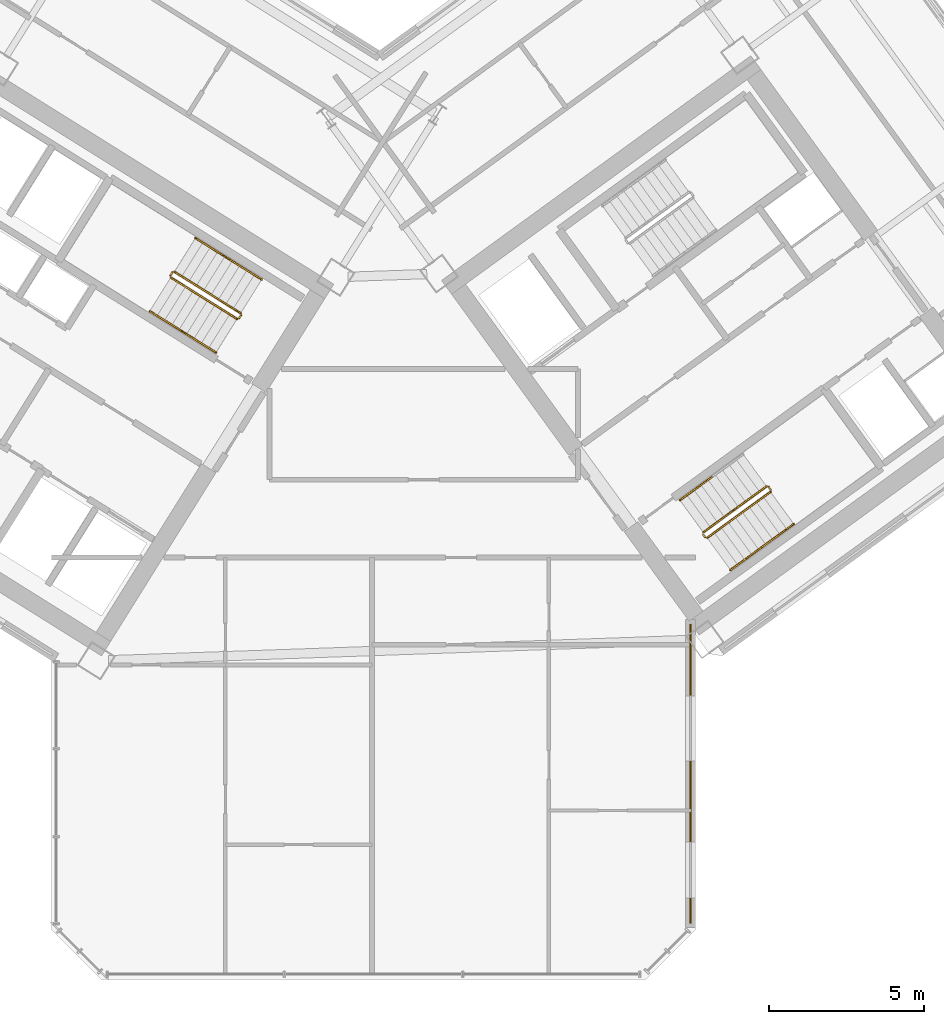
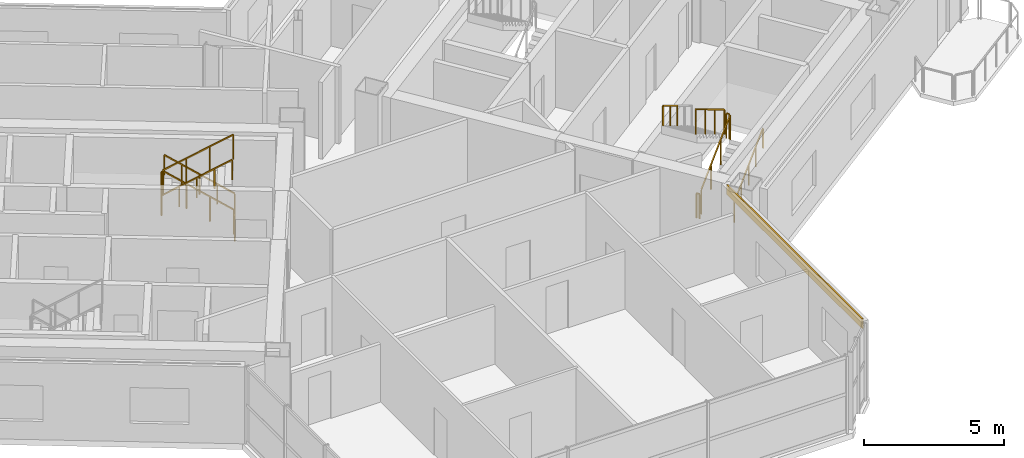
# One storey, part 19 of 21: 15 railings, 1 covering.
"""IFC4 building model written with IfcOpenShell, lengths in metres."""

from ifc_helpers import new_model, si_unit, direction, frame, origin, origin_2d, place, context, subcontext, project, spatial, rectangle, extrude, source, transform, mapped, material, layer, layer_set, type_object, element, save


model = new_model("IFC4")

# Units and contexts
model_context = context("Model", 3, precision=1e-05, world=origin(), true_north=direction((0.0, 1.0)))
body_context = subcontext(model_context, "Body", "Model", "MODEL_VIEW")
ifc_project = project(units=[si_unit("LENGTHUNIT", "METRE"), si_unit("AREAUNIT", "SQUARE_METRE"), si_unit("VOLUMEUNIT", "CUBIC_METRE"), si_unit("PLANEANGLEUNIT", "RADIAN"), si_unit("MASSUNIT", "GRAM", prefix="KILO")], contexts=[model_context])

# Site, building, storey
site_placement = place(None, origin())
site = spatial("IfcSite", under=ifc_project, at=site_placement, CompositionType="ELEMENT")
building_placement = place(site_placement, origin())
building = spatial("IfcBuilding", under=site, at=building_placement, Name="Tlacorven Tower", CompositionType="ELEMENT")
storey_placement = place(building_placement, frame((0.0, 0.0, 119.699951171875)))
storey = spatial("IfcBuildingStorey", under=building, at=storey_placement, Name="L30", CompositionType="ELEMENT", Elevation=119.699951171875)

# Covering
ifc_material_1 = material(Name="Precast concrete C45/55", Category="concrete")
ifc_layer = layer(ifc_material_1, 0.06005859375)
ifc_layer_set = layer_set([ifc_layer], Name="Precast concrete C45/55")
covering_type = type_object("IfcCoveringType", Name="CV-CLD-TERC", PredefinedType="CLADDING", material=ifc_layer_set)
shared_shape_1 = source(origin(), body_context, "Body", "SweptSolid", [
    extrude(rectangle(XDim=9.647705078125, YDim=0.06005859375, at=origin_2d()), origin(), (0.0, 0.0, 1.0), 0.419921875),
])
covering_placement = place(storey_placement, frame((52.239990234375, 8.440185546875, 2.93017578125), z_axis=(0.0, 0.0, 1.0), x_axis=(0.0, -1.0, 0.0)))
element("IfcCovering", 1, at=covering_placement, inside=storey, type_object=covering_type, Name="L30 Masonry-Frame Spandrel Cladding 7", PredefinedType="CLADDING", context=body_context, shape_type="MappedRepresentation", body=[
    mapped(shared_shape_1, transform((0.0, 0.0, 0.0), scale=1.0)),
])

# Railings
ifc_material_2 = material(Name="Aluminium and painted steel balustrade", Category="steel")
railing_type_1 = type_object("IfcRailingType", Name="RL-GRD-1100", PredefinedType="GUARDRAIL", material=ifc_material_2)
shared_shape_2 = source(origin(), body_context, "Body", "SweptSolid", [
    extrude(rectangle(XDim=0.048095703125, YDim=0.048095703125, at=origin_2d()), frame((0.0, 0.0, 1.076171875), z_axis=(-0.713319727316, 0.445773895627, 0.540796265334), x_axis=(-0.529955395941, -0.84802551749, 0.0)), (0.0, 0.0, 1.0), 2.995849609375),
    extrude(rectangle(XDim=0.0419921875, YDim=0.0419921875, at=origin_2d()), origin(), (0.0, 0.0, 1.0), 1.052001953125),
    extrude(rectangle(XDim=0.0419921875, YDim=0.0419921875, at=origin_2d()), frame((-0.71240234375, 0.445068359375, 0.5400390625)), (0.0, 0.0, 1.0), 1.052001953125),
    extrude(rectangle(XDim=0.0419921875, YDim=0.0419921875, at=origin_2d()), frame((-1.424560546875, 0.890380859375, 1.080078125)), (0.0, 0.0, 1.0), 1.052001953125),
    extrude(rectangle(XDim=0.0419921875, YDim=0.0419921875, at=origin_2d()), frame((-2.136962890625, 1.33544921875, 1.6201171875)), (0.0, 0.0, 1.0), 1.052001953125),
])
railing_1_placement = place(storey_placement, frame((37.712158203125, 23.3095703125, 0.179931640625)))
element("IfcRailing", 2, at=railing_1_placement, inside=storey, type_object=railing_type_1, Name="L30 ST-W2 stair guard 1", PredefinedType="GUARDRAIL", context=body_context, shape_type="MappedRepresentation", body=[
    mapped(shared_shape_2, transform((0.0, 0.0, 0.0), scale=1.0)),
])
shared_shape_3 = source(origin(), body_context, "Body", "SweptSolid", [
    extrude(rectangle(XDim=0.048095703125, YDim=0.048095703125, at=origin_2d()), frame((0.0, 0.0, 1.076171875), z_axis=(-0.530546985787, -0.847655529016, 0.0), x_axis=(0.847655529016, -0.530546985787, 0.0)), (0.0, 0.0, 1.0), 0.1201171875),
    extrude(rectangle(XDim=0.0419921875, YDim=0.0419921875, at=origin_2d()), origin(), (0.0, 0.0, 1.0), 1.052001953125),
    extrude(rectangle(XDim=0.0419921875, YDim=0.0419921875, at=origin_2d()), frame((-0.063720703125, -0.101806640625, 0.0)), (0.0, 0.0, 1.0), 1.052001953125),
])
railing_2_placement = place(storey_placement, frame((37.728271484375, 23.24072265625, 0.0)))
element("IfcRailing", 3, at=railing_2_placement, inside=storey, type_object=railing_type_1, Name="L30 ST-W2 stair guard 4", PredefinedType="GUARDRAIL", context=body_context, shape_type="MappedRepresentation", body=[
    mapped(shared_shape_3, transform((0.0, 0.0, 0.0), scale=1.0)),
])
railing_type_2 = type_object("IfcRailingType", Name="RL-HND-0900", PredefinedType="HANDRAIL", material=ifc_material_2)
shared_shape_4 = source(origin(), body_context, "Body", "SweptSolid", [
    extrude(rectangle(XDim=0.048095703125, YDim=0.048095703125, at=origin_2d()), frame((0.0, 0.0, 0.8759765625), z_axis=(-0.713359751793, 0.4457479829, 0.540764828981), x_axis=(-0.529911857636, -0.848052724267, 0.0)), (0.0, 0.0, 1.0), 1.498046875),
    extrude(rectangle(XDim=0.0419921875, YDim=0.0419921875, at=origin_2d()), origin(), (0.0, 0.0, 1.0), 0.851806640625),
    extrude(rectangle(XDim=0.0419921875, YDim=0.0419921875, at=origin_2d()), frame((-0.5341796875, 0.333984375, 0.405029296875)), (0.0, 0.0, 1.0), 0.851806640625),
    extrude(rectangle(XDim=0.0419921875, YDim=0.0419921875, at=origin_2d()), frame((-1.068603515625, 0.667724609375, 0.81005859375)), (0.0, 0.0, 1.0), 0.851806640625),
])
for number, where, name in (
    (4, (38.390625, 24.39501953125, 0.179931640625), "L30 ST-W2 stair handrail 1"),
    (5, (37.322021484375, 25.062744140625, 0.989990234375), "L30 ST-W2 stair handrail 2"),
):
    element("IfcRailing", number, at=place(storey_placement, frame(where)), inside=storey, type_object=railing_type_2, Name=name, PredefinedType="HANDRAIL", context=body_context, shape_type="MappedRepresentation", body=[
        mapped(shared_shape_4, transform((0.0, 0.0, 0.0), scale=1.0)),
    ])
shared_shape_5 = source(origin(), body_context, "Body", "SweptSolid", [
    extrude(rectangle(XDim=0.048095703125, YDim=0.048095703125, at=origin_2d()), frame((0.0, 0.0, 0.8759765625), z_axis=(0.713359751793, -0.4457479829, 0.540764828981), x_axis=(0.529911857636, 0.848052724267, 0.0)), (0.0, 0.0, 1.0), 1.498046875),
    extrude(rectangle(XDim=0.0419921875, YDim=0.0419921875, at=origin_2d()), origin(), (0.0, 0.0, 1.0), 0.851806640625),
    extrude(rectangle(XDim=0.0419921875, YDim=0.0419921875, at=origin_2d()), frame((0.5341796875, -0.333984375, 0.405029296875)), (0.0, 0.0, 1.0), 0.851806640625),
    extrude(rectangle(XDim=0.0419921875, YDim=0.0419921875, at=origin_2d()), frame((1.068603515625, -0.667724609375, 0.81005859375)), (0.0, 0.0, 1.0), 0.851806640625),
])
for number, where, name in (
    (6, (34.7802734375, 23.372802734375, 1.97998046875), "L30 ST-W2 stair handrail 3"),
    (7, (35.848876953125, 22.705078125, 2.7900390625), "L30 ST-W2 stair handrail 4"),
):
    element("IfcRailing", number, at=place(storey_placement, frame(where)), inside=storey, type_object=railing_type_2, Name=name, PredefinedType="HANDRAIL", context=body_context, shape_type="MappedRepresentation", body=[
        mapped(shared_shape_5, transform((0.0, 0.0, 0.0), scale=1.0)),
    ])
shared_shape_6 = source(origin(), body_context, "Body", "SweptSolid", [
    extrude(rectangle(XDim=0.048095703125, YDim=0.048095703125, at=origin_2d()), frame((0.0, 0.0, 1.076171875), z_axis=(-0.531462422766, -0.847081869236, 0.0), x_axis=(0.847081869236, -0.531462422766, 0.0)), (0.0, 0.0, 1.0), 0.119873046875),
    extrude(rectangle(XDim=0.0419921875, YDim=0.0419921875, at=origin_2d()), origin(), (0.0, 0.0, 1.0), 1.052001953125),
    extrude(rectangle(XDim=0.0419921875, YDim=0.0419921875, at=origin_2d()), frame((-0.063720703125, -0.1015625, 0.0)), (0.0, 0.0, 1.0), 1.052001953125),
])
railing_3_placement = place(storey_placement, frame((35.50634765625, 24.62890625, 1.800048828125)))
element("IfcRailing", 8, at=railing_3_placement, inside=storey, type_object=railing_type_1, Name="L30 ST-W2 stair guard 2", PredefinedType="GUARDRAIL", context=body_context, shape_type="MappedRepresentation", body=[
    mapped(shared_shape_6, transform((0.0, 0.0, 0.0), scale=1.0)),
])
shared_shape_7 = source(origin(), body_context, "Body", "SweptSolid", [
    extrude(rectangle(XDim=0.048095703125, YDim=0.048095703125, at=origin_2d()), frame((0.0, 0.0, 1.076171875), z_axis=(0.713385662783, -0.445682681033, 0.540784470897), x_axis=(0.52984217967, 0.848096259066, 0.0)), (0.0, 0.0, 1.0), 2.995849609375),
    extrude(rectangle(XDim=0.0419921875, YDim=0.0419921875, at=origin_2d()), origin(), (0.0, 0.0, 1.0), 1.052001953125),
    extrude(rectangle(XDim=0.0419921875, YDim=0.0419921875, at=origin_2d()), frame((0.71240234375, -0.445068359375, 0.5400390625)), (0.0, 0.0, 1.0), 1.052001953125),
    extrude(rectangle(XDim=0.0419921875, YDim=0.0419921875, at=origin_2d()), frame((1.4248046875, -0.89013671875, 1.080078125)), (0.0, 0.0, 1.0), 1.052001953125),
    extrude(rectangle(XDim=0.0419921875, YDim=0.0419921875, at=origin_2d()), frame((2.13720703125, -1.335205078125, 1.6201171875)), (0.0, 0.0, 1.0), 1.052001953125),
])
railing_4_placement = place(storey_placement, frame((35.45849609375, 24.458251953125, 1.97998046875)))
element("IfcRailing", 9, at=railing_4_placement, inside=storey, type_object=railing_type_1, Name="L30 ST-W2 stair guard 3", PredefinedType="GUARDRAIL", context=body_context, shape_type="MappedRepresentation", body=[
    mapped(shared_shape_7, transform((0.0, 0.0, 0.0), scale=1.0)),
])
shared_shape_8 = source(origin(), body_context, "Body", "SweptSolid", [
    extrude(rectangle(XDim=0.048095703125, YDim=0.048095703125, at=origin_2d()), frame((0.0, 0.0, 1.076171875), z_axis=(-0.587567097037, 0.809175448515, 0.0), x_axis=(-0.809175448515, -0.587567097037, 0.0)), (0.0, 0.0, 1.0), 0.1201171875),
    extrude(rectangle(XDim=0.0419921875, YDim=0.0419921875, at=origin_2d()), origin(), (0.0, 0.0, 1.0), 1.052001953125),
    extrude(rectangle(XDim=0.0419921875, YDim=0.0419921875, at=origin_2d()), frame((-0.070556640625, 0.09716796875, 0.0)), (0.0, 0.0, 1.0), 1.052001953125),
])
for number, where, name in (
    (10, (54.8310546875, 17.605712890625, 1.800048828125), "L30 ST-E2 stair guard 2"),
    (11, (52.71142578125, 16.065673828125, 0.0), "L30 ST-E2 stair guard 4"),
):
    element("IfcRailing", number, at=place(storey_placement, frame(where)), inside=storey, type_object=railing_type_1, Name=name, PredefinedType="GUARDRAIL", context=body_context, shape_type="MappedRepresentation", body=[
        mapped(shared_shape_8, transform((0.0, 0.0, 0.0), scale=1.0)),
    ])
shared_shape_9 = source(origin(), body_context, "Body", "SweptSolid", [
    extrude(rectangle(XDim=0.048095703125, YDim=0.048095703125, at=origin_2d()), frame((0.0, 0.0, 0.8759765625), z_axis=(0.680516055757, 0.494372502302, 0.540826891737), x_axis=(-0.587745292299, 0.809046025502, 0.0)), (0.0, 0.0, 1.0), 1.497802734375),
    extrude(rectangle(XDim=0.0419921875, YDim=0.0419921875, at=origin_2d()), origin(), (0.0, 0.0, 1.0), 0.851806640625),
    extrude(rectangle(XDim=0.0419921875, YDim=0.0419921875, at=origin_2d()), frame((0.509765625, 0.3701171875, 0.405029296875)), (0.0, 0.0, 1.0), 0.851806640625),
    extrude(rectangle(XDim=0.0419921875, YDim=0.0419921875, at=origin_2d()), frame((1.019287109375, 0.740478515625, 0.81005859375)), (0.0, 0.0, 1.0), 0.851806640625),
])
railing_5_placement = place(storey_placement, frame((54.552978515625, 15.759765625, 0.989990234375)))
element("IfcRailing", 12, at=railing_5_placement, inside=storey, type_object=railing_type_2, Name="L30 ST-E2 stair handrail 2", PredefinedType="HANDRAIL", context=body_context, shape_type="MappedRepresentation", body=[
    mapped(shared_shape_9, transform((0.0, 0.0, 0.0), scale=1.0)),
])
shared_shape_10 = source(origin(), body_context, "Body", "SweptSolid", [
    extrude(rectangle(XDim=0.048095703125, YDim=0.048095703125, at=origin_2d()), frame((0.0, 0.0, 0.8759765625), z_axis=(-0.680461216233, -0.494495647917, 0.540783309093), x_axis=(0.587872112667, -0.808953879494, 0.0)), (0.0, 0.0, 1.0), 1.498046875),
    extrude(rectangle(XDim=0.0419921875, YDim=0.0419921875, at=origin_2d()), origin(), (0.0, 0.0, 1.0), 0.851806640625),
    extrude(rectangle(XDim=0.0419921875, YDim=0.0419921875, at=origin_2d()), frame((-0.509765625, -0.370361328125, 0.405029296875)), (0.0, 0.0, 1.0), 0.851806640625),
    extrude(rectangle(XDim=0.0419921875, YDim=0.0419921875, at=origin_2d()), frame((-1.019287109375, -0.74072265625, 0.81005859375)), (0.0, 0.0, 1.0), 0.851806640625),
])
railing_6_placement = place(storey_placement, frame((52.9189453125, 18.0087890625, 2.7900390625)))
element("IfcRailing", 13, at=railing_6_placement, inside=storey, type_object=railing_type_2, Name="L30 ST-E2 stair handrail 4", PredefinedType="HANDRAIL", context=body_context, shape_type="MappedRepresentation", body=[
    mapped(shared_shape_10, transform((0.0, 0.0, 0.0), scale=1.0)),
])
shared_shape_11 = source(origin(), body_context, "Body", "SweptSolid", [
    extrude(rectangle(XDim=0.048095703125, YDim=0.048095703125, at=origin_2d()), frame((0.0, 0.0, 1.076171875), z_axis=(0.680532390839, 0.494406659708, 0.54077511024), x_axis=(-0.587762637553, 0.809033424462, 0.0)), (0.0, 0.0, 1.0), 2.995849609375),
    extrude(rectangle(XDim=0.0419921875, YDim=0.0419921875, at=origin_2d()), origin(), (0.0, 0.0, 1.0), 1.052001953125),
    extrude(rectangle(XDim=0.0419921875, YDim=0.0419921875, at=origin_2d()), frame((0.6796875, 0.49365234375, 0.5400390625)), (0.0, 0.0, 1.0), 1.052001953125),
    extrude(rectangle(XDim=0.0419921875, YDim=0.0419921875, at=origin_2d()), frame((1.359130859375, 0.987548828125, 1.080078125)), (0.0, 0.0, 1.0), 1.052001953125),
    extrude(rectangle(XDim=0.0419921875, YDim=0.0419921875, at=origin_2d()), frame((2.038818359375, 1.481201171875, 1.6201171875)), (0.0, 0.0, 1.0), 1.052001953125),
])
railing_7_placement = place(storey_placement, frame((52.78125, 16.0546875, 0.179931640625)))
element("IfcRailing", 14, at=railing_7_placement, inside=storey, type_object=railing_type_1, Name="L30 ST-E2 stair guard 1", PredefinedType="GUARDRAIL", context=body_context, shape_type="MappedRepresentation", body=[
    mapped(shared_shape_11, transform((0.0, 0.0, 0.0), scale=1.0)),
])
shared_shape_12 = source(origin(), body_context, "Body", "SweptSolid", [
    extrude(rectangle(XDim=0.048095703125, YDim=0.048095703125, at=origin_2d()), frame((0.0, 0.0, 1.076171875), z_axis=(-0.680532390839, -0.494406659708, 0.54077511024), x_axis=(0.587762637553, -0.809033424462, 0.0)), (0.0, 0.0, 1.0), 2.995849609375),
    extrude(rectangle(XDim=0.0419921875, YDim=0.0419921875, at=origin_2d()), origin(), (0.0, 0.0, 1.0), 1.052001953125),
    extrude(rectangle(XDim=0.0419921875, YDim=0.0419921875, at=origin_2d()), frame((-0.6796875, -0.49365234375, 0.5400390625)), (0.0, 0.0, 1.0), 1.052001953125),
    extrude(rectangle(XDim=0.0419921875, YDim=0.0419921875, at=origin_2d()), frame((-1.359130859375, -0.987548828125, 1.080078125)), (0.0, 0.0, 1.0), 1.052001953125),
    extrude(rectangle(XDim=0.0419921875, YDim=0.0419921875, at=origin_2d()), frame((-2.038818359375, -1.481201171875, 1.6201171875)), (0.0, 0.0, 1.0), 1.052001953125),
])
railing_8_placement = place(storey_placement, frame((54.690673828125, 17.7138671875, 1.97998046875)))
element("IfcRailing", 15, at=railing_8_placement, inside=storey, type_object=railing_type_1, Name="L30 ST-E2 stair guard 3", PredefinedType="GUARDRAIL", context=body_context, shape_type="MappedRepresentation", body=[
    mapped(shared_shape_12, transform((0.0, 0.0, 0.0), scale=1.0)),
])
shared_shape_13 = source(origin(), body_context, "Body", "SweptSolid", [
    extrude(rectangle(XDim=0.048095703125, YDim=0.048095703125, at=origin_2d()), frame((0.0, 0.0, 0.8759765625), z_axis=(0.680461216233, 0.494495647917, 0.540783309093), x_axis=(-0.587872112667, 0.808953879494, 0.0)), (0.0, 0.0, 1.0), 1.498046875),
    extrude(rectangle(XDim=0.0419921875, YDim=0.0419921875, at=origin_2d()), origin(), (0.0, 0.0, 1.0), 0.851806640625),
    extrude(rectangle(XDim=0.0419921875, YDim=0.0419921875, at=origin_2d()), frame((0.509765625, 0.370361328125, 0.405029296875)), (0.0, 0.0, 1.0), 0.851806640625),
    extrude(rectangle(XDim=0.0419921875, YDim=0.0419921875, at=origin_2d()), frame((1.019287109375, 0.74072265625, 0.81005859375)), (0.0, 0.0, 1.0), 0.851806640625),
])
railing_9_placement = place(storey_placement, frame((53.53369140625, 15.01904296875, 0.179931640625)))
element("IfcRailing", 16, at=railing_9_placement, inside=storey, type_object=railing_type_2, Name="L30 ST-E2 stair handrail 1", PredefinedType="HANDRAIL", context=body_context, shape_type="MappedRepresentation", body=[
    mapped(shared_shape_13, transform((0.0, 0.0, 0.0), scale=1.0)),
])

save(model, "model.ifc")
